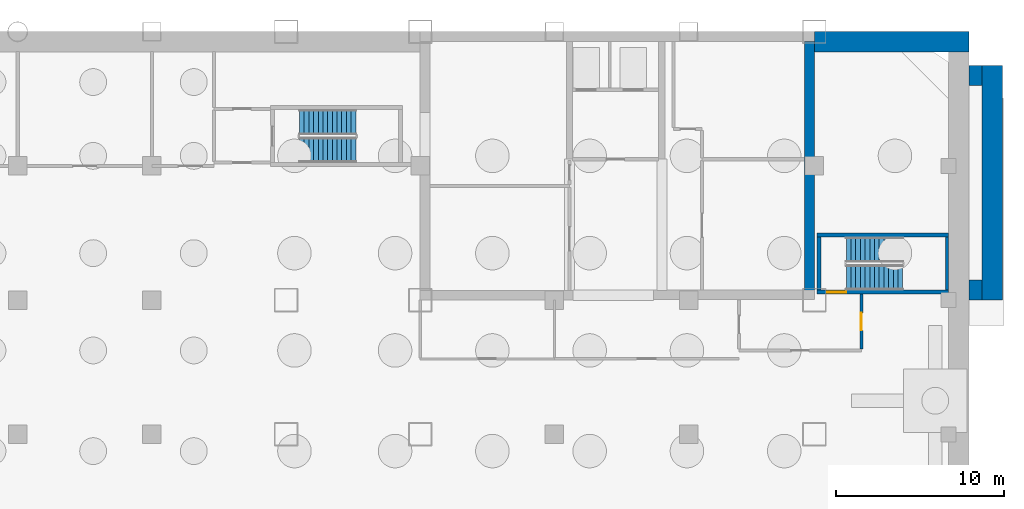
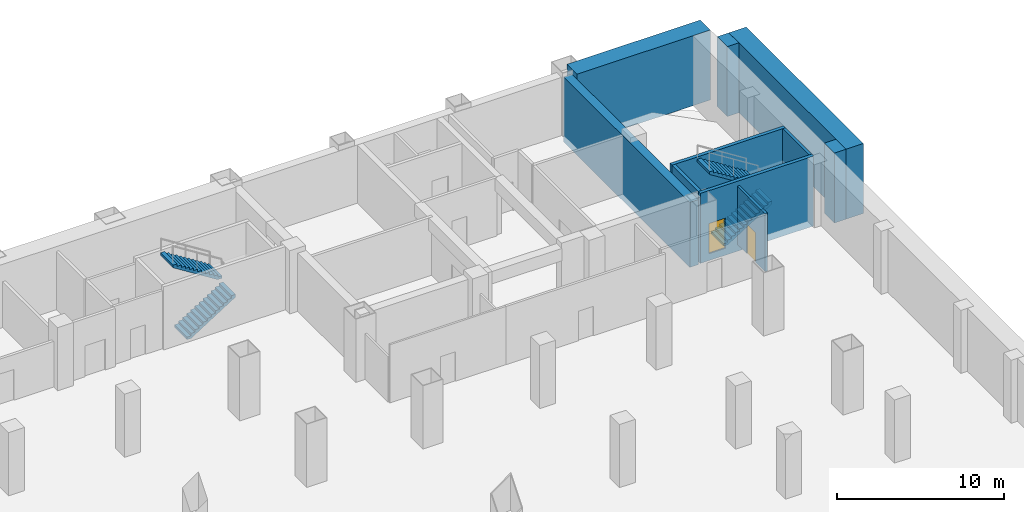
# One storey, part 4 of 8: 10 walls, 4 stair flights, 2 doors, 2 openings, 2 elements without a shape of their own.
"""IFC4 building model written with IfcOpenShell, lengths in metres."""

from ifc_helpers import new_model, si_unit, direction, frame, frame_2d, origin, place, context, subcontext, project, spatial, polyline, rectangle, outline, extrude, material, layer, layer_set, type_object, element, fill, aggregate, save


model = new_model("IFC4")

# Units and contexts
model_context = context("Model", 3, precision=1e-05, world=origin(), true_north=direction((0.0, 1.0)))
body_context = subcontext(model_context, "Body", "Model", "MODEL_VIEW")
ifc_project = project(units=[si_unit("LENGTHUNIT", "METRE"), si_unit("AREAUNIT", "SQUARE_METRE"), si_unit("VOLUMEUNIT", "CUBIC_METRE"), si_unit("PLANEANGLEUNIT", "RADIAN"), si_unit("MASSUNIT", "GRAM", prefix="KILO")], contexts=[model_context])

# Site, building, storey
site_placement = place(None, origin())
site = spatial("IfcSite", under=ifc_project, at=site_placement, CompositionType="ELEMENT")
building_placement = place(site_placement, origin())
building = spatial("IfcBuilding", under=site, at=building_placement, Name="Qianrong Seaharbour Tower", CompositionType="ELEMENT")
storey_placement = place(building_placement, frame((0.0, 0.0, -13.800048828125)))
storey = spatial("IfcBuildingStorey", under=building, at=storey_placement, Name="B03", CompositionType="ELEMENT", Elevation=-13.800048828125)

# Wall
ifc_material_1 = material(Name="Concrete C70/85", Category="concrete")
ifc_layer_1 = layer(ifc_material_1, 0.580078125)
ifc_layer_set_1 = layer_set([ifc_layer_1], Name="Concrete C70/85")
wall_type_1 = type_object("IfcWallType", Name="WALL-CORE-580", PredefinedType="SHEAR", material=ifc_layer_set_1)
wall_1_placement = place(storey_placement, frame((63.7099609375, 36.320068359375, -0.5), z_axis=(0.0, 0.0, 1.0), x_axis=(0.0, 1.0, 0.0)))
element("IfcWall", 1, at=wall_1_placement, inside=storey, type_object=wall_type_1, Name="B03 East Core Shear Wall", PredefinedType="SHEAR", context=body_context, shape_type="SweptSolid", body=[
    extrude(rectangle(XDim=15.099853515625, YDim=0.580078125, at=frame_2d((7.5498046875, 0.0))), origin(), (0.0, 0.0, 1.0), 4.739990234375),
])

# Wall, opening, door
ifc_material_2 = material(Name="Fire-rated acoustic gypsum board partition")
ifc_layer_2 = layer(ifc_material_2, 0.1650390625)
ifc_layer_set_2 = layer_set([ifc_layer_2], Name="Fire-rated acoustic gypsum board partition")
wall_type_2 = type_object("IfcWallType", Name="WALL-CORR-PART-165", PredefinedType="PARTITIONING", material=ifc_layer_set_2)
wall_2_placement = place(storey_placement, frame((66.800048828125, 36.367919921875, 0.0), z_axis=(0.0, 0.0, 1.0), x_axis=(0.0, -1.0, 0.0)))
wall_2 = element("IfcWall", 2, at=wall_2_placement, inside=storey, type_object=wall_type_2, Name="B03 Interior Partition Wall 014", PredefinedType="PARTITIONING", context=body_context, shape_type="SweptSolid", body=[
    extrude(rectangle(XDim=3.29345703125, YDim=0.1650390625, at=frame_2d((1.646728515625, 0.0))), origin(), (0.0, 0.0, 1.0), 4.239990234375),
])
opening_1_placement = place(wall_2_placement, frame((1.121826171875, 0.0, 0.0)))
opening_1 = element("IfcOpeningElement", 3, at=opening_1_placement, cuts=wall_2, Name="Opening DC-01", PredefinedType="OPENING", context=body_context, shape_type="SweptSolid", body=[
    extrude(rectangle(XDim=1.050048828125, YDim=2.14990234375, at=frame_2d((0.52490234375, 1.074951171875))), frame((0.0, 0.092529296875, 0.0), z_axis=(0.0, -1.0, 0.0), x_axis=(1.0, 0.0, 0.0)), (0.0, 0.0, 1.0), 0.18505859375),
])
ifc_material_3 = material(Name="Acoustic timber and galvanized steel fire door assembly", Category="steel")
door_type_1 = type_object("IfcDoorType", Name="DOOR-CORR-FD60-1050x2150", OperationType="NOTDEFINED", PredefinedType="DOOR", material=ifc_material_3)
door_1_placement = place(opening_1_placement, origin())
door_1 = element("IfcDoor", 4, at=door_1_placement, inside=storey, type_object=door_type_1, Name="B03 Basement Stair Vestibule BST-2 Door", OperationType="SINGLE_SWING_RIGHT", OverallHeight=2.14990234375, OverallWidth=1.050048828125, PredefinedType="DOOR", context=body_context, shape_type="SweptSolid", body=[
    extrude(rectangle(XDim=1.050048828125, YDim=2.14990234375, at=frame_2d((0.52490234375, 1.074951171875))), frame((0.0, 0.02490234375, 0.0), z_axis=(0.0, -1.0, 0.0), x_axis=(1.0, 0.0, 0.0)), (0.0, 0.0, 1.0), 0.050048828125),
])
fill(opening_1, door_1)

# Walls
ifc_material_4 = material(Name="Concrete C50/60", Category="concrete")
ifc_layer_3 = layer(ifc_material_4, 1.199951171875)
ifc_layer_set_3 = layer_set([ifc_layer_3], Name="Concrete C50/60")
wall_type_3 = type_object("IfcWallType", Name="WALL-DW-1200", PredefinedType="USERDEFINED", material=ifc_layer_set_3)
wall_3_placement = place(storey_placement, frame((74.60009765625, 36.0, -0.5), z_axis=(0.0, 0.0, 1.0), x_axis=(0.0, 1.0, 0.0)))
element("IfcWall", 5, at=wall_3_placement, inside=storey, type_object=wall_type_3, Name="B03 East Harbour Quay Retaining Wall", ObjectType="DIAPHRAGM WALL", PredefinedType="USERDEFINED", context=body_context, shape_type="SweptSolid", body=[
    extrude(rectangle(XDim=14.0, YDim=1.199951171875, at=frame_2d((7.0, 0.0))), origin(), (0.0, 0.0, 1.0), 5.10009765625),
])
for number, where, z_axis, x_axis, name in (
    (6, (73.199951171875, 36.60009765625, -0.5), (0.0, 0.0, 1.0), (1.0, 0.0, 0.0), "B03 East Quay Return Wall S"),
    (7, (73.199951171875, 49.39990234375, -0.5), (0.0, 0.0, 1.0), (1.0, 0.0, 0.0), "B03 East Quay Return Wall N"),
):
    element("IfcWall", number, at=place(storey_placement, frame(where, z_axis=z_axis, x_axis=x_axis)), inside=storey, type_object=wall_type_3, Name=name, ObjectType="DIAPHRAGM WALL", PredefinedType="USERDEFINED", context=body_context, shape_type="SweptSolid", body=[
        extrude(rectangle(XDim=0.800048828125, YDim=1.199951171875, at=frame_2d((0.39990234375, 0.0))), origin(), (0.0, 0.0, 1.0), 5.10009765625),
    ])
wall_4_placement = place(storey_placement, frame((64.0, 51.39990234375, -0.5), z_axis=(0.0, 0.0, 1.0), x_axis=(1.0, 0.0, 0.0)))
element("IfcWall", 8, at=wall_4_placement, inside=storey, type_object=wall_type_3, Name="B03 North-East Diaphragm Retaining Wall", ObjectType="DIAPHRAGM WALL", PredefinedType="USERDEFINED", context=body_context, shape_type="SweptSolid", body=[
    extrude(rectangle(XDim=9.199951171875, YDim=1.199951171875, at=frame_2d((4.60009765625, 0.0))), origin(), (0.0, 0.0, 1.0), 5.10009765625),
])
ifc_layer_4 = layer(ifc_material_4, 0.239990234375)
ifc_layer_set_4 = layer_set([ifc_layer_4], Name="Concrete C50/60")
wall_type_4 = type_object("IfcWallType", Name="WALL-SHAFT-RC240", PredefinedType="SOLIDWALL", material=ifc_layer_set_4)
wall_5_placement = place(storey_placement, frame((64.159912109375, 39.8701171875, -0.5), z_axis=(0.0, 0.0, 1.0), x_axis=(1.0, 0.0, 0.0)))
element("IfcWall", 9, at=wall_5_placement, inside=storey, type_object=wall_type_4, Name="B03 BST-2 Structural Stair Core Wall N", PredefinedType="SOLIDWALL", context=body_context, shape_type="SweptSolid", body=[
    extrude(rectangle(XDim=7.820068359375, YDim=0.239990234375, at=frame_2d((3.91015625, 0.0))), origin(), (0.0, 0.0, 1.0), 5.10009765625),
])

# Wall, opening, door
wall_6_placement = place(storey_placement, frame((71.97998046875, 36.47998046875, -0.5), z_axis=(0.0, 0.0, 1.0), x_axis=(-1.0, 0.0, 0.0)))
wall_6 = element("IfcWall", 10, at=wall_6_placement, inside=storey, type_object=wall_type_4, Name="B03 BST-2 Structural Stair Core Wall S", PredefinedType="SOLIDWALL", context=body_context, shape_type="SweptSolid", body=[
    extrude(rectangle(XDim=7.820068359375, YDim=0.239990234375, at=frame_2d((3.91015625, 0.0))), origin(), (0.0, 0.0, 1.0), 5.10009765625),
])
opening_2_placement = place(wall_6_placement, frame((6.080078125, 0.0, 0.5)))
opening_2 = element("IfcOpeningElement", 11, at=opening_2_placement, cuts=wall_6, Name="Opening SD-01", PredefinedType="OPENING", context=body_context, shape_type="SweptSolid", body=[
    extrude(rectangle(XDim=1.14990234375, YDim=2.199951171875, at=frame_2d((0.574951171875, 1.10009765625))), frame((0.0, 0.1298828125, 0.0), z_axis=(0.0, -1.0, 0.0), x_axis=(1.0, 0.0, 0.0)), (0.0, 0.0, 1.0), 0.260009765625),
])
door_type_2 = type_object("IfcDoorType", Name="DOOR-STAIR-FD60-1150x2200", OperationType="NOTDEFINED", PredefinedType="DOOR", material=ifc_material_3)
door_2_placement = place(opening_2_placement, origin())
door_2 = element("IfcDoor", 12, at=door_2_placement, inside=storey, type_object=door_type_2, Name="B03 BST-2 Protected Stair Door", OperationType="SINGLE_SWING_LEFT", OverallHeight=2.199951171875, OverallWidth=1.14990234375, PredefinedType="DOOR", context=body_context, shape_type="SweptSolid", body=[
    extrude(rectangle(XDim=1.14990234375, YDim=2.199951171875, at=frame_2d((0.574951171875, 1.10009765625))), frame((0.0, 0.02490234375, 0.0), z_axis=(0.0, -1.0, 0.0), x_axis=(1.0, 0.0, 0.0)), (0.0, 0.0, 1.0), 0.050048828125),
])
fill(opening_2, door_2)

# Walls
wall_7_placement = place(storey_placement, frame((64.280029296875, 39.75, -0.5), z_axis=(0.0, 0.0, 1.0), x_axis=(0.0, -1.0, 0.0)))
element("IfcWall", 13, at=wall_7_placement, inside=storey, type_object=wall_type_4, Name="B03 BST-2 Structural Stair Core Wall W", PredefinedType="SOLIDWALL", context=body_context, shape_type="SweptSolid", body=[
    extrude(rectangle(XDim=3.14990234375, YDim=0.239990234375, at=frame_2d((1.574951171875, 0.0))), origin(), (0.0, 0.0, 1.0), 5.10009765625),
])
wall_8_placement = place(storey_placement, frame((71.889892578125, 36.60009765625, -0.5), z_axis=(0.0, 0.0, 1.0), x_axis=(0.0, 1.0, 0.0)))
element("IfcWall", 14, at=wall_8_placement, inside=storey, type_object=wall_type_4, Name="B03 BST-2 Structural Stair Core Wall E", PredefinedType="SOLIDWALL", context=body_context, shape_type="SweptSolid", body=[
    extrude(rectangle(XDim=3.14990234375, YDim=0.179931640625, at=frame_2d((1.574951171875, 0.0))), origin(), (0.0, 0.0, 1.0), 5.10009765625),
])

# Stair, stair flights
stair_type = type_object("IfcStairType", Name="STAIR-DOGLEG-1500-R26", PredefinedType="HALF_TURN_STAIR", material=ifc_material_4)
stair_1_placement = place(storey_placement, origin())
stair_1 = element("IfcStair", 15, at=stair_1_placement, inside=storey, type_object=stair_type, Name="B03 Protected Escape Stair BST-1", PredefinedType="HALF_TURN_STAIR")
stair_flight_type = type_object("IfcStairFlightType", Name="FLIGHT-STR-1500-R26", PredefinedType="STRAIGHT", material=ifc_material_4)
stair_flight_1_placement = place(storey_placement, frame((33.300048828125, 44.949951171875, 0.0), z_axis=(0.0, 0.0, 1.0), x_axis=(1.0, 0.0, 0.0)))
stair_flight_1 = element("IfcStairFlight", 16, at=stair_flight_1_placement, type_object=stair_flight_type, Name="BST-1 flight 1", NumberOfRisers=13, NumberOfTreads=12, PredefinedType="STRAIGHT", RiserHeight=0.176923077, TreadLength=0.28, context=body_context, shape_type="SweptSolid", body=[
    extrude(outline(polyline([(0.0, 0.0), (0.0, 0.177001953125), (0.280029296875, 0.177001953125), (0.280029296875, 0.353759765625), (0.56005859375, 0.353759765625), (0.56005859375, 0.53076171875), (0.840087890625, 0.53076171875), (0.840087890625, 0.707763671875), (1.1201171875, 0.707763671875), (1.1201171875, 0.884521484375), (1.39990234375, 0.884521484375), (1.39990234375, 1.0615234375), (1.679931640625, 1.0615234375), (1.679931640625, 1.238525390625), (1.9599609375, 1.238525390625), (1.9599609375, 1.415283203125), (2.239990234375, 1.415283203125), (2.239990234375, 1.59228515625), (2.52001953125, 1.59228515625), (2.52001953125, 1.769287109375), (2.800048828125, 1.769287109375), (2.800048828125, 1.946044921875), (3.080078125, 1.946044921875), (3.080078125, 2.123046875), (3.360107421875, 2.123046875), (3.360107421875, 2.300048828125), (3.360107421875, 1.933837890625), (0.29931640625, 0.0), (0.0, 0.0)])), frame((0.0, 0.75, 0.0), z_axis=(0.0, -1.0, 0.0), x_axis=(1.0, 0.0, 0.0)), (0.0, 0.0, 1.0), 1.5),
])
stair_flight_2_placement = place(storey_placement, frame((36.659912109375, 46.60009765625, 2.300048828125), z_axis=(0.0, 0.0, 1.0), x_axis=(-1.0, 0.0, 0.0)))
stair_flight_2 = element("IfcStairFlight", 17, at=stair_flight_2_placement, type_object=stair_flight_type, Name="BST-1 flight 2", NumberOfRisers=13, NumberOfTreads=12, PredefinedType="STRAIGHT", RiserHeight=0.176923077, TreadLength=0.28, context=body_context, shape_type="SweptSolid", body=[
    extrude(outline(polyline([(0.0, 0.0), (0.0, 0.177001953125), (0.280029296875, 0.177001953125), (0.280029296875, 0.353759765625), (0.56005859375, 0.353759765625), (0.56005859375, 0.53076171875), (0.840087890625, 0.53076171875), (0.840087890625, 0.707763671875), (1.1201171875, 0.707763671875), (1.1201171875, 0.884521484375), (1.39990234375, 0.884521484375), (1.39990234375, 1.0615234375), (1.679931640625, 1.0615234375), (1.679931640625, 1.238525390625), (1.9599609375, 1.238525390625), (1.9599609375, 1.415283203125), (2.239990234375, 1.415283203125), (2.239990234375, 1.59228515625), (2.52001953125, 1.59228515625), (2.52001953125, 1.769287109375), (2.800048828125, 1.769287109375), (2.800048828125, 1.946044921875), (3.080078125, 1.946044921875), (3.080078125, 2.123046875), (3.360107421875, 2.123046875), (3.360107421875, 2.300048828125), (3.360107421875, 1.933837890625), (0.29931640625, 0.0), (0.0, 0.0)])), frame((0.0, 0.75, 0.0), z_axis=(0.0, -1.0, 0.0), x_axis=(1.0, 0.0, 0.0)), (0.0, 0.0, 1.0), 1.5),
])
aggregate(stair_1, [stair_flight_1, stair_flight_2])

stair_2_placement = place(storey_placement, origin())
stair_2 = element("IfcStair", 18, at=stair_2_placement, inside=storey, type_object=stair_type, Name="B03 Protected Escape Stair BST-2", PredefinedType="HALF_TURN_STAIR")
stair_flight_3_placement = place(storey_placement, frame((65.89990234375, 37.35009765625, 0.0), z_axis=(0.0, 0.0, 1.0), x_axis=(1.0, 0.0, 0.0)))
stair_flight_3 = element("IfcStairFlight", 19, at=stair_flight_3_placement, type_object=stair_flight_type, Name="BST-2 flight 1", NumberOfRisers=13, NumberOfTreads=12, PredefinedType="STRAIGHT", RiserHeight=0.176923077, TreadLength=0.28, context=body_context, shape_type="SweptSolid", body=[
    extrude(outline(polyline([(0.0, 0.0), (0.0, 0.177001953125), (0.280029296875, 0.177001953125), (0.280029296875, 0.353759765625), (0.56005859375, 0.353759765625), (0.56005859375, 0.53076171875), (0.840087890625, 0.53076171875), (0.840087890625, 0.707763671875), (1.1201171875, 0.707763671875), (1.1201171875, 0.884521484375), (1.39990234375, 0.884521484375), (1.39990234375, 1.0615234375), (1.679931640625, 1.0615234375), (1.679931640625, 1.238525390625), (1.9599609375, 1.238525390625), (1.9599609375, 1.415283203125), (2.239990234375, 1.415283203125), (2.239990234375, 1.59228515625), (2.52001953125, 1.59228515625), (2.52001953125, 1.769287109375), (2.800048828125, 1.769287109375), (2.800048828125, 1.946044921875), (3.080078125, 1.946044921875), (3.080078125, 2.123046875), (3.360107421875, 2.123046875), (3.360107421875, 2.300048828125), (3.360107421875, 1.933837890625), (0.29931640625, 0.0), (0.0, 0.0)])), frame((0.0, 0.75, 0.0), z_axis=(0.0, -1.0, 0.0), x_axis=(1.0, 0.0, 0.0)), (0.0, 0.0, 1.0), 1.5),
])
stair_flight_4_placement = place(storey_placement, frame((69.260009765625, 39.0, 2.300048828125), z_axis=(0.0, 0.0, 1.0), x_axis=(-1.0, 0.0, 0.0)))
stair_flight_4 = element("IfcStairFlight", 20, at=stair_flight_4_placement, type_object=stair_flight_type, Name="BST-2 flight 2", NumberOfRisers=13, NumberOfTreads=12, PredefinedType="STRAIGHT", RiserHeight=0.176923077, TreadLength=0.28, context=body_context, shape_type="SweptSolid", body=[
    extrude(outline(polyline([(0.0, 0.0), (0.0, 0.177001953125), (0.280029296875, 0.177001953125), (0.280029296875, 0.353759765625), (0.56005859375, 0.353759765625), (0.56005859375, 0.53076171875), (0.840087890625, 0.53076171875), (0.840087890625, 0.707763671875), (1.1201171875, 0.707763671875), (1.1201171875, 0.884521484375), (1.39990234375, 0.884521484375), (1.39990234375, 1.0615234375), (1.679931640625, 1.0615234375), (1.679931640625, 1.238525390625), (1.9599609375, 1.238525390625), (1.9599609375, 1.415283203125), (2.239990234375, 1.415283203125), (2.239990234375, 1.59228515625), (2.52001953125, 1.59228515625), (2.52001953125, 1.769287109375), (2.800048828125, 1.769287109375), (2.800048828125, 1.946044921875), (3.080078125, 1.946044921875), (3.080078125, 2.123046875), (3.360107421875, 2.123046875), (3.360107421875, 2.300048828125), (3.360107421875, 1.933837890625), (0.29931640625, 0.0), (0.0, 0.0)])), frame((0.0, 0.75, 0.0), z_axis=(0.0, -1.0, 0.0), x_axis=(1.0, 0.0, 0.0)), (0.0, 0.0, 1.0), 1.5),
])
aggregate(stair_2, [stair_flight_3, stair_flight_4])

save(model, "model.ifc")
